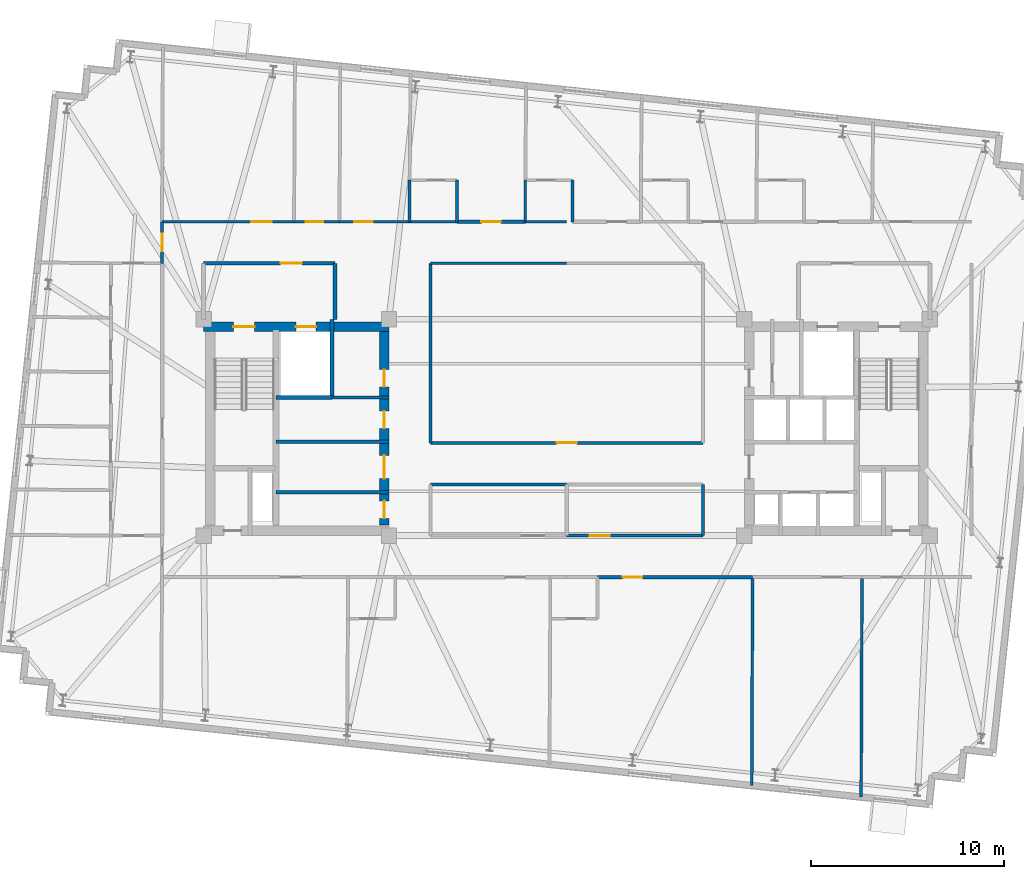
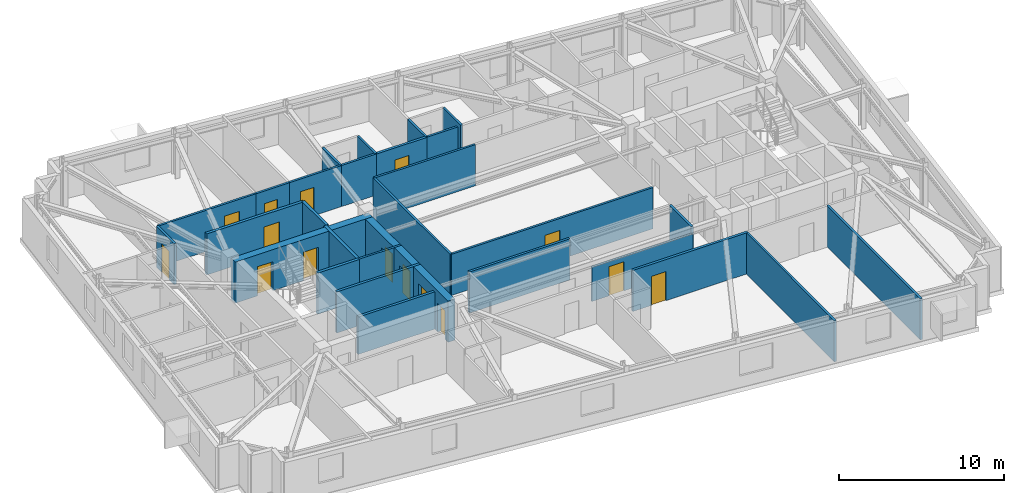
# One storey, part 7 of 12: 29 walls, 15 doors, 15 openings.
"""IFC4 building model written with IfcOpenShell, lengths in metres."""

from ifc_helpers import new_model, si_unit, direction, frame, frame_2d, origin, place, context, subcontext, project, spatial, rectangle, extrude, material, layer, layer_set, type_object, element, fill, save


model = new_model("IFC4")

# Units and contexts
model_context = context("Model", 3, precision=1e-05, world=origin(), true_north=direction((0.0, 1.0)))
body_context = subcontext(model_context, "Body", "Model", "MODEL_VIEW")
ifc_project = project(units=[si_unit("LENGTHUNIT", "METRE"), si_unit("AREAUNIT", "SQUARE_METRE"), si_unit("VOLUMEUNIT", "CUBIC_METRE"), si_unit("PLANEANGLEUNIT", "RADIAN"), si_unit("MASSUNIT", "GRAM", prefix="KILO")], contexts=[model_context])

# Site, building, storey
site_placement = place(None, origin())
site = spatial("IfcSite", under=ifc_project, at=site_placement, CompositionType="ELEMENT")
building_placement = place(site_placement, origin())
building = spatial("IfcBuilding", under=site, at=building_placement, Name="Qobustan Lattice House", CompositionType="ELEMENT")
storey_placement = place(building_placement, frame((0.0, 0.0, 183.0)))
storey = spatial("IfcBuildingStorey", under=building, at=storey_placement, Name="L51", CompositionType="ELEMENT", Elevation=183.0)

# Wall, openings, doors
ifc_material_1 = material(Name="Concrete C50/60", Category="concrete")
ifc_layer_1 = layer(ifc_material_1, 0.5)
ifc_layer_set_1 = layer_set([ifc_layer_1], Name="Concrete C50/60")
wall_type_1 = type_object("IfcWallType", Name="WAL-CORE-500", PredefinedType="SHEAR", material=ifc_layer_set_1)
wall_1_placement = place(storey_placement, frame((-18.800048828125, 5.2099609375, 0.0), z_axis=(0.0, 0.0, 1.0), x_axis=(1.0, 0.0, 0.0)))
wall_1 = element("IfcWall", 1, at=wall_1_placement, inside=storey, type_object=wall_type_1, Name="L51 split-core shear wall CW-N", PredefinedType="SHEAR", context=body_context, shape_type="SweptSolid", body=[
    extrude(rectangle(XDim=9.60009765625, YDim=0.5, at=frame_2d((4.800048828125, 0.0))), origin(), (0.0, 0.0, 1.0), 3.0400390625),
])
opening_1_placement = place(wall_1_placement, frame((1.550048828125, 0.0, 0.0)))
opening_1 = element("IfcOpeningElement", 2, at=opening_1_placement, cuts=wall_1, Name="Opening SD-01", PredefinedType="OPENING", context=body_context, shape_type="SweptSolid", body=[
    extrude(rectangle(XDim=1.10009765625, YDim=2.14990234375, at=frame_2d((0.550048828125, 1.074951171875))), frame((0.0, 0.260009765625, 0.0), z_axis=(0.0, -1.0, 0.0), x_axis=(1.0, 0.0, 0.0)), (0.0, 0.0, 1.0), 0.52001953125),
])
opening_2_placement = place(wall_1_placement, frame((4.77490234375, 0.0, 0.0)))
opening_2 = element("IfcOpeningElement", 3, at=opening_2_placement, cuts=wall_1, Name="Opening LD-01", PredefinedType="OPENING", context=body_context, shape_type="SweptSolid", body=[
    extrude(rectangle(XDim=1.050048828125, YDim=2.10009765625, at=frame_2d((0.52490234375, 1.050048828125))), frame((0.0, 0.260009765625, 0.0), z_axis=(0.0, -1.0, 0.0), x_axis=(1.0, 0.0, 0.0)), (0.0, 0.0, 1.0), 0.52001953125),
])
ifc_material_2 = material(Name="Persian walnut timber and steel frame door", Category="steel")
door_type_1 = type_object("IfcDoorType", Name="DOR-LIFT-LD-1050x2100", OperationType="NOTDEFINED", PredefinedType="DOOR", material=ifc_material_2)
door_1_placement = place(opening_2_placement, origin())
door_1 = element("IfcDoor", 4, at=door_1_placement, inside=storey, type_object=door_type_1, Name="L51 firefighting lift FF-W landing door", OperationType="DOUBLE_DOOR_SLIDING", OverallHeight=2.10009765625, OverallWidth=1.050048828125, PredefinedType="DOOR", context=body_context, shape_type="SweptSolid", body=[
    extrude(rectangle(XDim=1.050048828125, YDim=2.10009765625, at=frame_2d((0.52490234375, 1.050048828125))), frame((0.0, 0.02490234375, 0.0), z_axis=(0.0, -1.0, 0.0), x_axis=(1.0, 0.0, 0.0)), (0.0, 0.0, 1.0), 0.050048828125),
])
fill(opening_2, door_1)
ifc_material_3 = material(Name="Persian walnut timber and steel frame door", Category="steel")
door_type_2 = type_object("IfcDoorType", Name="DOR-STAIR-FD-1100x2150", OperationType="NOTDEFINED", PredefinedType="DOOR", material=ifc_material_3)
door_2_placement = place(opening_1_placement, origin())
door_2 = element("IfcDoor", 5, at=door_2_placement, inside=storey, type_object=door_type_2, Name="L51 exit stair ST-W1 fire door", OperationType="SINGLE_SWING_LEFT", OverallHeight=2.14990234375, OverallWidth=1.10009765625, PredefinedType="DOOR", context=body_context, shape_type="SweptSolid", body=[
    extrude(rectangle(XDim=1.10009765625, YDim=2.14990234375, at=frame_2d((0.550048828125, 1.074951171875))), frame((0.0, 0.02490234375, 0.0), z_axis=(0.0, -1.0, 0.0), x_axis=(1.0, 0.0, 0.0)), (0.0, 0.0, 1.0), 0.050048828125),
])
fill(opening_1, door_2)

wall_2_placement = place(storey_placement, frame((-9.449951171875, -5.050048828125, 0.0), z_axis=(0.0, 0.0, 1.0), x_axis=(0.0, 1.0, 0.0)))
wall_2 = element("IfcWall", 6, at=wall_2_placement, inside=storey, type_object=wall_type_1, Name="L51 split-core shear wall CW-E", PredefinedType="SHEAR", context=body_context, shape_type="SweptSolid", body=[
    extrude(rectangle(XDim=10.10009765625, YDim=0.5, at=frame_2d((5.050048828125, 0.0))), origin(), (0.0, 0.0, 1.0), 3.0400390625),
])
opening_3_placement = place(wall_2_placement, frame((7.14990234375, 0.0, 0.0)))
opening_3 = element("IfcOpeningElement", 7, at=opening_3_placement, cuts=wall_2, Name="Opening RD-01", PredefinedType="OPENING", context=body_context, shape_type="SweptSolid", body=[
    extrude(rectangle(XDim=0.89990234375, YDim=2.10009765625, at=frame_2d((0.449951171875, 1.050048828125))), frame((0.0, 0.260009765625, 0.0), z_axis=(0.0, -1.0, 0.0), x_axis=(1.0, 0.0, 0.0)), (0.0, 0.0, 1.0), 0.52001953125),
])
opening_4_placement = place(wall_2_placement, frame((2.39990234375, 0.0, 0.0)))
opening_4 = element("IfcOpeningElement", 8, at=opening_4_placement, cuts=wall_2, Name="Opening FD-01", PredefinedType="OPENING", context=body_context, shape_type="SweptSolid", body=[
    extrude(rectangle(XDim=1.199951171875, YDim=2.14990234375, at=frame_2d((0.60009765625, 1.074951171875))), frame((0.0, 0.260009765625, 0.0), z_axis=(0.0, -1.0, 0.0), x_axis=(1.0, 0.0, 0.0)), (0.0, 0.0, 1.0), 0.52001953125),
])
opening_5_placement = place(wall_2_placement, frame((0.35009765625, 0.0, 0.0)))
opening_5 = element("IfcOpeningElement", 9, at=opening_5_placement, cuts=wall_2, Name="Opening RD-01", PredefinedType="OPENING", context=body_context, shape_type="SweptSolid", body=[
    extrude(rectangle(XDim=0.89990234375, YDim=2.10009765625, at=frame_2d((0.449951171875, 1.050048828125))), frame((0.0, 0.260009765625, 0.0), z_axis=(0.0, -1.0, 0.0), x_axis=(1.0, 0.0, 0.0)), (0.0, 0.0, 1.0), 0.52001953125),
])
opening_6_placement = place(wall_2_placement, frame((5.0, 0.0, 0.0)))
opening_6 = element("IfcOpeningElement", 10, at=opening_6_placement, cuts=wall_2, Name="Opening RD-01", PredefinedType="OPENING", context=body_context, shape_type="SweptSolid", body=[
    extrude(rectangle(XDim=0.89990234375, YDim=2.10009765625, at=frame_2d((0.449951171875, 1.050048828125))), frame((0.0, 0.260009765625, 0.0), z_axis=(0.0, -1.0, 0.0), x_axis=(1.0, 0.0, 0.0)), (0.0, 0.0, 1.0), 0.52001953125),
])
ifc_material_4 = material(Name="Persian walnut timber and steel frame door", Category="steel")
door_type_3 = type_object("IfcDoorType", Name="DOR-LOBBY-FD-1200x2150", OperationType="NOTDEFINED", PredefinedType="DOOR", material=ifc_material_4)
door_3_placement = place(opening_4_placement, origin())
door_3 = element("IfcDoor", 11, at=door_3_placement, inside=storey, type_object=door_type_3, Name="L51 West core foyer fire door", OperationType="SINGLE_SWING_LEFT", OverallHeight=2.14990234375, OverallWidth=1.199951171875, PredefinedType="DOOR", context=body_context, shape_type="SweptSolid", body=[
    extrude(rectangle(XDim=1.199951171875, YDim=2.14990234375, at=frame_2d((0.60009765625, 1.074951171875))), frame((0.0, 0.02490234375, 0.0), z_axis=(0.0, -1.0, 0.0), x_axis=(1.0, 0.0, 0.0)), (0.0, 0.0, 1.0), 0.050048828125),
])
fill(opening_4, door_3)
ifc_material_5 = material(Name="Persian walnut timber and steel frame door", Category="steel")
door_type_4 = type_object("IfcDoorType", Name="DOR-RISER-FD-900x2100", OperationType="NOTDEFINED", PredefinedType="DOOR", material=ifc_material_5)
door_4_placement = place(opening_3_placement, origin())
door_4 = element("IfcDoor", 12, at=door_4_placement, inside=storey, type_object=door_type_4, Name="L51 Floor tea pantry fire door", OperationType="SINGLE_SWING_RIGHT", OverallHeight=2.10009765625, OverallWidth=0.89990234375, PredefinedType="DOOR", context=body_context, shape_type="SweptSolid", body=[
    extrude(rectangle(XDim=0.89990234375, YDim=2.10009765625, at=frame_2d((0.449951171875, 1.050048828125))), frame((0.0, 0.02490234375, 0.0), z_axis=(0.0, -1.0, 0.0), x_axis=(1.0, 0.0, 0.0)), (0.0, 0.0, 1.0), 0.050048828125),
])
fill(opening_3, door_4)
door_5_placement = place(opening_5_placement, origin())
door_5 = element("IfcDoor", 13, at=door_5_placement, inside=storey, type_object=door_type_4, Name="L51 Tutorial seminar salon fire door", OperationType="SINGLE_SWING_RIGHT", OverallHeight=2.10009765625, OverallWidth=0.89990234375, PredefinedType="DOOR", context=body_context, shape_type="SweptSolid", body=[
    extrude(rectangle(XDim=0.89990234375, YDim=2.10009765625, at=frame_2d((0.449951171875, 1.050048828125))), frame((0.0, 0.02490234375, 0.0), z_axis=(0.0, -1.0, 0.0), x_axis=(1.0, 0.0, 0.0)), (0.0, 0.0, 1.0), 0.050048828125),
])
fill(opening_5, door_5)
door_6_placement = place(opening_6_placement, origin())
door_6 = element("IfcDoor", 14, at=door_6_placement, inside=storey, type_object=door_type_4, Name="L51 Copy and tea hub fire door", OperationType="SINGLE_SWING_LEFT", OverallHeight=2.10009765625, OverallWidth=0.89990234375, PredefinedType="DOOR", context=body_context, shape_type="SweptSolid", body=[
    extrude(rectangle(XDim=0.89990234375, YDim=2.10009765625, at=frame_2d((0.449951171875, 1.050048828125))), frame((0.0, 0.02490234375, 0.0), z_axis=(0.0, -1.0, 0.0), x_axis=(1.0, 0.0, 0.0)), (0.0, 0.0, 1.0), 0.050048828125),
])
fill(opening_6, door_6)

# Walls
ifc_material_6 = material(Name="Gypsum fireboard acoustic partition", Category="gypsum")
ifc_layer_2 = layer(ifc_material_6, 0.179931640625)
ifc_layer_set_2 = layer_set([ifc_layer_2], Name="Gypsum fireboard acoustic partition")
wall_type_2 = type_object("IfcWallType", Name="WAL-FIRE-180", PredefinedType="PARTITIONING", material=ifc_layer_set_2)
wall_3_placement = place(storey_placement, frame((-15.050048828125, -3.35009765625, 0.0), z_axis=(0.0, 0.0, 1.0), x_axis=(1.0, 0.0, 0.0)))
element("IfcWall", 15, at=wall_3_placement, inside=storey, type_object=wall_type_2, Name="L51 interior partition 8", PredefinedType="PARTITIONING", context=body_context, shape_type="SweptSolid", body=[
    extrude(rectangle(XDim=5.85009765625, YDim=0.179931640625, at=frame_2d((2.925048828125, 0.0))), origin(), (0.0, 0.0, 1.0), 2.7548828125),
])
wall_4_placement = place(storey_placement, frame((-9.199951171875, -0.75, 0.0), z_axis=(0.0, 0.0, 1.0), x_axis=(-1.0, 0.0, 0.0)))
element("IfcWall", 16, at=wall_4_placement, inside=storey, type_object=wall_type_2, Name="L51 interior partition 9", PredefinedType="PARTITIONING", context=body_context, shape_type="SweptSolid", body=[
    extrude(rectangle(XDim=5.85009765625, YDim=0.179931640625, at=frame_2d((2.925048828125, 0.0))), origin(), (0.0, 0.0, 1.0), 3.0400390625),
])

# Wall, opening, door
wall_5_placement = place(storey_placement, frame((-5.678955078125, 10.64990234375, 0.0), z_axis=(0.0, 0.0, 1.0), x_axis=(1.0, 0.0, 0.0)))
wall_5 = element("IfcWall", 17, at=wall_5_placement, inside=storey, type_object=wall_type_2, Name="L51 interior partition 35", PredefinedType="PARTITIONING", context=body_context, shape_type="SweptSolid", body=[
    extrude(rectangle(XDim=3.535888671875, YDim=0.179931640625, at=frame_2d((1.76806640625, 0.0))), origin(), (0.0, 0.0, 1.0), 3.0400390625),
])
opening_7_placement = place(wall_5_placement, frame((1.26806640625, 0.0, 0.0)))
opening_7 = element("IfcOpeningElement", 18, at=opening_7_placement, cuts=wall_5, Name="Opening FD-02", PredefinedType="OPENING", context=body_context, shape_type="SweptSolid", body=[
    extrude(rectangle(XDim=1.0, YDim=2.14990234375, at=frame_2d((0.5, 1.074951171875))), frame((0.0, 0.099853515625, 0.0), z_axis=(0.0, -1.0, 0.0), x_axis=(1.0, 0.0, 0.0)), (0.0, 0.0, 1.0), 0.199951171875),
])
ifc_material_7 = material(Name="Persian walnut timber and steel frame door", Category="steel")
door_type_5 = type_object("IfcDoorType", Name="DOR-UNIT-FD-1000x2150", OperationType="NOTDEFINED", PredefinedType="DOOR", material=ifc_material_7)
door_7_placement = place(opening_7_placement, origin())
door_7 = element("IfcDoor", 19, at=door_7_placement, inside=storey, type_object=door_type_5, Name="L51 North-west floor corridor to Kitchenette and studio apartment L51-N3 door", OperationType="SINGLE_SWING_RIGHT", OverallHeight=2.14990234375, OverallWidth=1.0, PredefinedType="DOOR", context=body_context, shape_type="SweptSolid", body=[
    extrude(rectangle(XDim=1.0, YDim=2.14990234375, at=frame_2d((0.5, 1.074951171875))), frame((0.0, 0.02490234375, 0.0), z_axis=(0.0, -1.0, 0.0), x_axis=(1.0, 0.0, 0.0)), (0.0, 0.0, 1.0), 0.050048828125),
])
fill(opening_7, door_7)

wall_6_placement = place(storey_placement, frame((9.625, -7.75, 0.0), z_axis=(0.0, 0.0, 1.0), x_axis=(-1.0, 0.0, 0.0)))
wall_6 = element("IfcWall", 20, at=wall_6_placement, inside=storey, type_object=wall_type_2, Name="L51 interior partition 52", PredefinedType="PARTITIONING", context=body_context, shape_type="SweptSolid", body=[
    extrude(rectangle(XDim=8.02490234375, YDim=0.179931640625, at=frame_2d((4.012451171875, 0.0))), origin(), (0.0, 0.0, 1.0), 3.0400390625),
])
opening_8_placement = place(wall_6_placement, frame((5.7119140625, 0.0, 0.0)))
opening_8 = element("IfcOpeningElement", 21, at=opening_8_placement, cuts=wall_6, Name="Opening FD-02", PredefinedType="OPENING", context=body_context, shape_type="SweptSolid", body=[
    extrude(rectangle(XDim=1.0, YDim=2.14990234375, at=frame_2d((0.5, 1.074951171875))), frame((0.0, 0.099853515625, 0.0), z_axis=(0.0, -1.0, 0.0), x_axis=(1.0, 0.0, 0.0)), (0.0, 0.0, 1.0), 0.199951171875),
])
door_8_placement = place(opening_8_placement, origin())
door_8 = element("IfcDoor", 22, at=door_8_placement, inside=storey, type_object=door_type_5, Name="L51 South-east floor corridor to Kitchenette and studio apartment L51-S3 door", OperationType="SINGLE_SWING_LEFT", OverallHeight=2.14990234375, OverallWidth=1.0, PredefinedType="DOOR", context=body_context, shape_type="SweptSolid", body=[
    extrude(rectangle(XDim=1.0, YDim=2.14990234375, at=frame_2d((0.5, 1.074951171875))), frame((0.0, 0.02490234375, 0.0), z_axis=(0.0, -1.0, 0.0), x_axis=(1.0, 0.0, 0.0)), (0.0, 0.0, 1.0), 0.050048828125),
])
fill(opening_8, door_8)

# Wall
ifc_material_8 = material(Name="Acoustic twin-stud gypsum partition", Category="gypsum")
ifc_layer_3 = layer(ifc_material_8, 0.14990234375)
ifc_layer_set_3 = layer_set([ifc_layer_3], Name="Acoustic twin-stud gypsum partition")
wall_type_3 = type_object("IfcWallType", Name="WAL-PART-150", PredefinedType="PARTITIONING", material=ifc_layer_set_3)
wall_7_placement = place(storey_placement, frame((-12.14990234375, 1.550048828125, 0.0), z_axis=(0.0, 0.0, 1.0), x_axis=(1.0, 0.0, 0.0)))
element("IfcWall", 23, at=wall_7_placement, inside=storey, type_object=wall_type_3, Name="L51 interior partition 6", PredefinedType="PARTITIONING", context=body_context, shape_type="SweptSolid", body=[
    extrude(rectangle(XDim=2.949951171875, YDim=0.14990234375, at=frame_2d((1.47509765625, 0.0))), origin(), (0.0, 0.0, 1.0), 3.0400390625),
])

# Wall, opening, door
wall_8_placement = place(storey_placement, frame((-20.949951171875, 8.5, 0.0), z_axis=(0.0, 0.0, 1.0), x_axis=(0.0, 1.0, 0.0)))
wall_8 = element("IfcWall", 24, at=wall_8_placement, inside=storey, type_object=wall_type_3, Name="L51 interior partition 31", PredefinedType="PARTITIONING", context=body_context, shape_type="SweptSolid", body=[
    extrude(rectangle(XDim=2.14990234375, YDim=0.14990234375, at=frame_2d((1.074951171875, 0.0))), origin(), (0.0, 0.0, 1.0), 3.0400390625),
])
opening_9_placement = place(wall_8_placement, frame((0.625, 0.0, 0.0)))
opening_9 = element("IfcOpeningElement", 25, at=opening_9_placement, cuts=wall_8, Name="Opening WD-01", PredefinedType="OPENING", context=body_context, shape_type="SweptSolid", body=[
    extrude(rectangle(XDim=0.89990234375, YDim=2.10009765625, at=frame_2d((0.449951171875, 1.050048828125))), frame((0.0, 0.0849609375, 0.0), z_axis=(0.0, -1.0, 0.0), x_axis=(1.0, 0.0, 0.0)), (0.0, 0.0, 1.0), 0.169921875),
])
ifc_material_9 = material(Name="Persian walnut timber and steel frame door", Category="steel")
door_type_6 = type_object("IfcDoorType", Name="DOR-WET-900x2100", OperationType="NOTDEFINED", PredefinedType="DOOR", material=ifc_material_9)
door_9_placement = place(opening_9_placement, origin())
door_9 = element("IfcDoor", 26, at=door_9_placement, inside=storey, type_object=door_type_6, Name="L51 North-west floor corridor to Reading study room L51WN door", OperationType="SINGLE_SWING_RIGHT", OverallHeight=2.10009765625, OverallWidth=0.89990234375, PredefinedType="DOOR", context=body_context, shape_type="SweptSolid", body=[
    extrude(rectangle(XDim=0.89990234375, YDim=2.10009765625, at=frame_2d((0.449951171875, 1.050048828125))), frame((0.0, 0.02490234375, 0.0), z_axis=(0.0, -1.0, 0.0), x_axis=(1.0, 0.0, 0.0)), (0.0, 0.0, 1.0), 0.050048828125),
])
fill(opening_9, door_9)

wall_9_placement = place(storey_placement, frame((-20.949951171875, 10.64990234375, 0.0), z_axis=(0.0, 0.0, 1.0), x_axis=(1.0, 0.0, 0.0)))
wall_9 = element("IfcWall", 27, at=wall_9_placement, inside=storey, type_object=wall_type_3, Name="L51 interior partition 32", PredefinedType="PARTITIONING", context=body_context, shape_type="SweptSolid", body=[
    extrude(rectangle(XDim=6.8359375, YDim=0.14990234375, at=frame_2d((3.41796875, 0.0))), origin(), (0.0, 0.0, 1.0), 3.0400390625),
])
opening_10_placement = place(wall_9_placement, frame((4.627685546875, 0.0, 0.0)))
opening_10 = element("IfcOpeningElement", 28, at=opening_10_placement, cuts=wall_9, Name="Opening ID-02", PredefinedType="OPENING", context=body_context, shape_type="SweptSolid", body=[
    extrude(rectangle(XDim=1.050048828125, YDim=2.14990234375, at=frame_2d((0.52490234375, 1.074951171875))), frame((0.0, 0.0849609375, 0.0), z_axis=(0.0, -1.0, 0.0), x_axis=(1.0, 0.0, 0.0)), (0.0, 0.0, 1.0), 0.169921875),
])
ifc_material_10 = material(Name="Persian walnut timber and steel frame door", Category="steel")
door_type_7 = type_object("IfcDoorType", Name="DOR-STUDY-1050x2150", OperationType="NOTDEFINED", PredefinedType="DOOR", material=ifc_material_10)
door_10_placement = place(opening_10_placement, origin())
door_10 = element("IfcDoor", 29, at=door_10_placement, inside=storey, type_object=door_type_7, Name="L51 North-west floor corridor to Focus study room N1 door", OperationType="SINGLE_SWING_LEFT", OverallHeight=2.14990234375, OverallWidth=1.050048828125, PredefinedType="DOOR", context=body_context, shape_type="SweptSolid", body=[
    extrude(rectangle(XDim=1.050048828125, YDim=2.14990234375, at=frame_2d((0.52490234375, 1.074951171875))), frame((0.0, 0.02490234375, 0.0), z_axis=(0.0, -1.0, 0.0), x_axis=(1.0, 0.0, 0.0)), (0.0, 0.0, 1.0), 0.050048828125),
])
fill(opening_10, door_10)

wall_10_placement = place(storey_placement, frame((-11.763916015625, 10.64990234375, 0.0), z_axis=(0.0, 0.0, 1.0), x_axis=(1.0, 0.0, 0.0)))
wall_10 = element("IfcWall", 30, at=wall_10_placement, inside=storey, type_object=wall_type_3, Name="L51 interior partition 34", PredefinedType="PARTITIONING", context=body_context, shape_type="SweptSolid", body=[
    extrude(rectangle(XDim=3.635009765625, YDim=0.14990234375, at=frame_2d((1.8173828125, 0.0))), origin(), (0.0, 0.0, 1.0), 3.0400390625),
])
opening_11_placement = place(wall_10_placement, frame((0.7705078125, 0.0, 0.0)))
opening_11 = element("IfcOpeningElement", 31, at=opening_11_placement, cuts=wall_10, Name="Opening ID-01", PredefinedType="OPENING", context=body_context, shape_type="SweptSolid", body=[
    extrude(rectangle(XDim=0.949951171875, YDim=2.10009765625, at=frame_2d((0.47509765625, 1.050048828125))), frame((0.0, 0.0849609375, 0.0), z_axis=(0.0, -1.0, 0.0), x_axis=(1.0, 0.0, 0.0)), (0.0, 0.0, 1.0), 0.169921875),
])
ifc_material_11 = material(Name="Persian walnut timber and steel frame door", Category="steel")
door_type_8 = type_object("IfcDoorType", Name="DOR-ROOM-950x2100", OperationType="NOTDEFINED", PredefinedType="DOOR", material=ifc_material_11)
door_11_placement = place(opening_11_placement, origin())
door_11 = element("IfcDoor", 32, at=door_11_placement, inside=storey, type_object=door_type_8, Name="L51 North-west floor corridor to Laundry utility room door", OperationType="SINGLE_SWING_LEFT", OverallHeight=2.10009765625, OverallWidth=0.949951171875, PredefinedType="DOOR", context=body_context, shape_type="SweptSolid", body=[
    extrude(rectangle(XDim=0.949951171875, YDim=2.10009765625, at=frame_2d((0.47509765625, 1.050048828125))), frame((0.0, 0.02490234375, 0.0), z_axis=(0.0, -1.0, 0.0), x_axis=(1.0, 0.0, 0.0)), (0.0, 0.0, 1.0), 0.050048828125),
])
fill(opening_11, door_11)

# Wall
wall_11_placement = place(storey_placement, frame((0.0, 8.5, 0.0), z_axis=(0.0, 0.0, 1.0), x_axis=(-1.0, 0.0, 0.0)))
element("IfcWall", 33, at=wall_11_placement, inside=storey, type_object=wall_type_3, Name="L51 interior partition 38", PredefinedType="PARTITIONING", context=body_context, shape_type="SweptSolid", body=[
    extrude(rectangle(XDim=7.050048828125, YDim=0.14990234375, at=frame_2d((3.52490234375, 0.0))), origin(), (0.0, 0.0, 1.0), 3.0400390625),
])

# Wall, opening, door
wall_12_placement = place(storey_placement, frame((0.0, -5.60009765625, 0.0), z_axis=(0.0, 0.0, 1.0), x_axis=(1.0, 0.0, 0.0)))
wall_12 = element("IfcWall", 34, at=wall_12_placement, inside=storey, type_object=wall_type_3, Name="L51 interior partition 56", PredefinedType="PARTITIONING", context=body_context, shape_type="SweptSolid", body=[
    extrude(rectangle(XDim=7.050048828125, YDim=0.14990234375, at=frame_2d((3.52490234375, 0.0))), origin(), (0.0, 0.0, 1.0), 2.52490234375),
])
opening_12_placement = place(wall_12_placement, frame((1.18505859375, 0.0, 0.0)))
opening_12 = element("IfcOpeningElement", 35, at=opening_12_placement, cuts=wall_12, Name="Opening ID-02", PredefinedType="OPENING", context=body_context, shape_type="SweptSolid", body=[
    extrude(rectangle(XDim=1.050048828125, YDim=2.14990234375, at=frame_2d((0.52490234375, 1.074951171875))), frame((0.0, 0.0849609375, 0.0), z_axis=(0.0, -1.0, 0.0), x_axis=(1.0, 0.0, 0.0)), (0.0, 0.0, 1.0), 0.169921875),
])
door_12_placement = place(opening_12_placement, origin())
door_12 = element("IfcDoor", 36, at=door_12_placement, inside=storey, type_object=door_type_7, Name="L51 South-east floor corridor to Silent study room door", OperationType="SINGLE_SWING_RIGHT", OverallHeight=2.14990234375, OverallWidth=1.050048828125, PredefinedType="DOOR", context=body_context, shape_type="SweptSolid", body=[
    extrude(rectangle(XDim=1.050048828125, YDim=2.14990234375, at=frame_2d((0.52490234375, 1.074951171875))), frame((0.0, 0.02490234375, 0.0), z_axis=(0.0, -1.0, 0.0), x_axis=(1.0, 0.0, 0.0)), (0.0, 0.0, 1.0), 0.050048828125),
])
fill(opening_12, door_12)

wall_13_placement = place(storey_placement, frame((-7.050048828125, -0.800048828125, 0.0), z_axis=(0.0, 0.0, 1.0), x_axis=(1.0, 0.0, 0.0)))
wall_13 = element("IfcWall", 37, at=wall_13_placement, inside=storey, type_object=wall_type_3, Name="L51 interior partition 59", PredefinedType="PARTITIONING", context=body_context, shape_type="SweptSolid", body=[
    extrude(rectangle(XDim=14.10009765625, YDim=0.14990234375, at=frame_2d((7.050048828125, 0.0))), origin(), (0.0, 0.0, 1.0), 3.0400390625),
])
opening_13_placement = place(wall_13_placement, frame((6.52490234375, 0.0, 0.0)))
opening_13 = element("IfcOpeningElement", 38, at=opening_13_placement, cuts=wall_13, Name="Opening ID-02", PredefinedType="OPENING", context=body_context, shape_type="SweptSolid", body=[
    extrude(rectangle(XDim=1.050048828125, YDim=2.14990234375, at=frame_2d((0.52490234375, 1.074951171875))), frame((0.0, 0.0849609375, 0.0), z_axis=(0.0, -1.0, 0.0), x_axis=(1.0, 0.0, 0.0)), (0.0, 0.0, 1.0), 0.169921875),
])
door_13_placement = place(opening_13_placement, origin())
door_13 = element("IfcDoor", 39, at=door_13_placement, inside=storey, type_object=door_type_7, Name="L51 Central spine corridor to Academic seminar commons door", OperationType="SINGLE_SWING_LEFT", OverallHeight=2.14990234375, OverallWidth=1.050048828125, PredefinedType="DOOR", context=body_context, shape_type="SweptSolid", body=[
    extrude(rectangle(XDim=1.050048828125, YDim=2.14990234375, at=frame_2d((0.52490234375, 1.074951171875))), frame((0.0, 0.02490234375, 0.0), z_axis=(0.0, -1.0, 0.0), x_axis=(1.0, 0.0, 0.0)), (0.0, 0.0, 1.0), 0.050048828125),
])
fill(opening_13, door_13)

# Walls
wall_14_placement = place(storey_placement, frame((-7.050048828125, 8.5, 0.0), z_axis=(0.0, 0.0, 1.0), x_axis=(0.0, -1.0, 0.0)))
element("IfcWall", 40, at=wall_14_placement, inside=storey, type_object=wall_type_3, Name="L51 interior partition 62", PredefinedType="PARTITIONING", context=body_context, shape_type="SweptSolid", body=[
    extrude(rectangle(XDim=9.300048828125, YDim=0.14990234375, at=frame_2d((4.64990234375, 0.0))), origin(), (0.0, 0.0, 1.0), 3.0400390625),
])
wall_15_placement = place(storey_placement, frame((7.050048828125, -5.60009765625, 0.0), z_axis=(0.0, 0.0, 1.0), x_axis=(0.0, 1.0, 0.0)))
element("IfcWall", 41, at=wall_15_placement, inside=storey, type_object=wall_type_3, Name="L51 interior partition 65", PredefinedType="PARTITIONING", context=body_context, shape_type="SweptSolid", body=[
    extrude(rectangle(XDim=2.650146484375, YDim=0.14990234375, at=frame_2d((1.3251953125, 0.0))), origin(), (0.0, 0.0, 1.0), 3.0400390625),
])
wall_16_placement = place(storey_placement, frame((9.625, -7.75, 0.0), z_axis=(0.0, 0.0, 1.0), x_axis=(-0.004074945792, -0.999991697374, 0.0)))
element("IfcWall", 42, at=wall_16_placement, inside=storey, type_object=wall_type_3, Name="L51 interior partition 108", PredefinedType="PARTITIONING", context=body_context, shape_type="SweptSolid", body=[
    extrude(rectangle(XDim=10.7841796875, YDim=0.14990234375, at=frame_2d((5.39208984375, 0.0))), origin(), (0.0, 0.0, 1.0), 3.0400390625),
])
wall_17_placement = place(storey_placement, frame((15.28759765625, -7.75, 0.0), z_axis=(0.0, 0.0, 1.0), x_axis=(-0.003861886282, -0.999992542889, 0.0)))
element("IfcWall", 43, at=wall_17_placement, inside=storey, type_object=wall_type_3, Name="L51 interior partition 109", PredefinedType="PARTITIONING", context=body_context, shape_type="SweptSolid", body=[
    extrude(rectangle(XDim=11.379150390625, YDim=0.14990234375, at=frame_2d((5.689453125, 0.0))), origin(), (0.0, 0.0, 1.0), 3.0400390625),
])
ifc_material_12 = material(Name="High-mass acoustic twin-stud partition", Category="gypsum")
ifc_layer_4 = layer(ifc_material_12, 0.1650390625)
ifc_layer_set_4 = layer_set([ifc_layer_4], Name="High-mass acoustic twin-stud partition")
wall_type_4 = type_object("IfcWallType", Name="WAL-PART-165", PredefinedType="PARTITIONING", material=ifc_layer_set_4)
wall_18_placement = place(storey_placement, frame((0.0, -2.949951171875, 0.0), z_axis=(0.0, 0.0, 1.0), x_axis=(-1.0, 0.0, 0.0)))
element("IfcWall", 44, at=wall_18_placement, inside=storey, type_object=wall_type_4, Name="L51 interior partition 60", PredefinedType="PARTITIONING", context=body_context, shape_type="SweptSolid", body=[
    extrude(rectangle(XDim=7.050048828125, YDim=0.1650390625, at=frame_2d((3.52490234375, 0.0))), origin(), (0.0, 0.0, 1.0), 3.0400390625),
])

# Wall, opening, door
ifc_material_13 = material(Name="Two-hour gypsum fireboard acoustic partition", Category="gypsum")
ifc_layer_5 = layer(ifc_material_13, 0.199951171875)
ifc_layer_set_5 = layer_set([ifc_layer_5], Name="Two-hour gypsum fireboard acoustic partition")
wall_type_5 = type_object("IfcWallType", Name="WAL-PROT-200", PredefinedType="PARTITIONING", material=ifc_layer_set_5)
wall_19_placement = place(storey_placement, frame((-12.0, 8.5, 0.0), z_axis=(0.0, 0.0, 1.0), x_axis=(-1.0, 0.0, 0.0)))
wall_19 = element("IfcWall", 45, at=wall_19_placement, inside=storey, type_object=wall_type_5, Name="L51 interior partition 3", PredefinedType="PARTITIONING", context=body_context, shape_type="SweptSolid", body=[
    extrude(rectangle(XDim=6.800048828125, YDim=0.199951171875, at=frame_2d((3.39990234375, 0.0))), origin(), (0.0, 0.0, 1.0), 3.0400390625),
])
opening_14_placement = place(wall_19_placement, frame((1.715087890625, 0.0, 0.0)))
opening_14 = element("IfcOpeningElement", 46, at=opening_14_placement, cuts=wall_19, Name="Opening SD-01", PredefinedType="OPENING", context=body_context, shape_type="SweptSolid", body=[
    extrude(rectangle(XDim=1.10009765625, YDim=2.14990234375, at=frame_2d((0.550048828125, 1.074951171875))), frame((0.0, 0.10986328125, 0.0), z_axis=(0.0, -1.0, 0.0), x_axis=(1.0, 0.0, 0.0)), (0.0, 0.0, 1.0), 0.219970703125),
])
door_14_placement = place(opening_14_placement, origin())
door_14 = element("IfcDoor", 47, at=door_14_placement, inside=storey, type_object=door_type_2, Name="L51 West firefighting lift lobby to North-west floor corridor door", OperationType="SINGLE_SWING_LEFT", OverallHeight=2.14990234375, OverallWidth=1.10009765625, PredefinedType="DOOR", context=body_context, shape_type="SweptSolid", body=[
    extrude(rectangle(XDim=1.10009765625, YDim=2.14990234375, at=frame_2d((0.550048828125, 1.074951171875))), frame((0.0, 0.02490234375, 0.0), z_axis=(0.0, -1.0, 0.0), x_axis=(1.0, 0.0, 0.0)), (0.0, 0.0, 1.0), 0.050048828125),
])
fill(opening_14, door_14)

# Walls
wall_20_placement = place(storey_placement, frame((-12.0, 5.60009765625, 0.0), z_axis=(0.0, 0.0, 1.0), x_axis=(0.0, 1.0, 0.0)))
element("IfcWall", 48, at=wall_20_placement, inside=storey, type_object=wall_type_5, Name="L51 interior partition 5", PredefinedType="PARTITIONING", context=body_context, shape_type="SweptSolid", body=[
    extrude(rectangle(XDim=2.89990234375, YDim=0.199951171875, at=frame_2d((1.449951171875, 0.0))), origin(), (0.0, 0.0, 1.0), 3.0400390625),
])
ifc_material_14 = material(Name="Concrete C40/50", Category="concrete")
ifc_layer_6 = layer(ifc_material_14, 0.199951171875)
ifc_layer_set_6 = layer_set([ifc_layer_6], Name="Concrete C40/50")
wall_type_6 = type_object("IfcWallType", Name="WAL-SHAFT-200", PredefinedType="PARTITIONING", material=ifc_layer_set_6)
wall_21_placement = place(storey_placement, frame((-12.14990234375, 1.550048828125, 0.0), z_axis=(0.0, 0.0, 1.0), x_axis=(0.0, 1.0, 0.0)))
element("IfcWall", 49, at=wall_21_placement, inside=storey, type_object=wall_type_6, Name="L51 interior partition 2", PredefinedType="PARTITIONING", context=body_context, shape_type="SweptSolid", body=[
    extrude(rectangle(XDim=4.050048828125, YDim=0.199951171875, at=frame_2d((2.02490234375, 0.0))), origin(), (0.0, 0.0, 1.0), 3.0400390625),
])
wall_22_placement = place(storey_placement, frame((-15.050048828125, 1.550048828125, 0.0), z_axis=(0.0, 0.0, 1.0), x_axis=(1.0, 0.0, 0.0)))
element("IfcWall", 50, at=wall_22_placement, inside=storey, type_object=wall_type_6, Name="L51 interior partition 111", PredefinedType="PARTITIONING", context=body_context, shape_type="SweptSolid", body=[
    extrude(rectangle(XDim=2.900146484375, YDim=0.199951171875, at=frame_2d((1.4501953125, 0.0))), origin(), (0.0, 0.0, 1.0), 3.0400390625),
])

# Wall, opening, door
ifc_material_15 = material(Name="Moisture-resistant acoustic plumbing wall", Category="gypsum")
ifc_layer_7 = layer(ifc_material_15, 0.14990234375)
ifc_layer_set_7 = layer_set([ifc_layer_7], Name="Moisture-resistant acoustic plumbing wall")
wall_type_7 = type_object("IfcWallType", Name="WAL-WET-150", PredefinedType="PLUMBINGWALL", material=ifc_layer_set_7)
wall_23_placement = place(storey_placement, frame((-14.114013671875, 10.64990234375, 0.0), z_axis=(0.0, 0.0, 1.0), x_axis=(1.0, 0.0, 0.0)))
wall_23 = element("IfcWall", 51, at=wall_23_placement, inside=storey, type_object=wall_type_7, Name="L51 interior partition 33", PredefinedType="PLUMBINGWALL", context=body_context, shape_type="SweptSolid", body=[
    extrude(rectangle(XDim=2.35009765625, YDim=0.14990234375, at=frame_2d((1.175048828125, 0.0))), origin(), (0.0, 0.0, 1.0), 3.0400390625),
])
opening_15_placement = place(wall_23_placement, frame((0.6162109375, 0.0, 0.0)))
opening_15 = element("IfcOpeningElement", 52, at=opening_15_placement, cuts=wall_23, Name="Opening WD-01", PredefinedType="OPENING", context=body_context, shape_type="SweptSolid", body=[
    extrude(rectangle(XDim=0.89990234375, YDim=2.10009765625, at=frame_2d((0.449951171875, 1.050048828125))), frame((0.0, 0.0849609375, 0.0), z_axis=(0.0, -1.0, 0.0), x_axis=(1.0, 0.0, 0.0)), (0.0, 0.0, 1.0), 0.169921875),
])
door_15_placement = place(opening_15_placement, origin())
door_15 = element("IfcDoor", 53, at=door_15_placement, inside=storey, type_object=door_type_6, Name="L51 North-west floor corridor to Accessible WC door", OperationType="SINGLE_SWING_RIGHT", OverallHeight=2.10009765625, OverallWidth=0.89990234375, PredefinedType="DOOR", context=body_context, shape_type="SweptSolid", body=[
    extrude(rectangle(XDim=0.89990234375, YDim=2.10009765625, at=frame_2d((0.449951171875, 1.050048828125))), frame((0.0, 0.02490234375, 0.0), z_axis=(0.0, -1.0, 0.0), x_axis=(1.0, 0.0, 0.0)), (0.0, 0.0, 1.0), 0.050048828125),
])
fill(opening_15, door_15)

# Walls
wall_24_placement = place(storey_placement, frame((-8.12890625, 10.64990234375, 0.0), z_axis=(0.0, 0.0, 1.0), x_axis=(1.0, 0.0, 0.0)))
element("IfcWall", 54, at=wall_24_placement, inside=storey, type_object=wall_type_7, Name="L51 interior partition 36", PredefinedType="PLUMBINGWALL", context=body_context, shape_type="SweptSolid", body=[
    extrude(rectangle(XDim=2.449951171875, YDim=0.14990234375, at=frame_2d((1.22509765625, 0.0))), origin(), (0.0, 0.0, 1.0), 3.0400390625),
])
wall_25_placement = place(storey_placement, frame((-2.14306640625, 10.64990234375, 0.0), z_axis=(0.0, 0.0, 1.0), x_axis=(1.0, 0.0, 0.0)))
element("IfcWall", 55, at=wall_25_placement, inside=storey, type_object=wall_type_7, Name="L51 interior partition 37", PredefinedType="PLUMBINGWALL", context=body_context, shape_type="SweptSolid", body=[
    extrude(rectangle(XDim=2.14306640625, YDim=0.14990234375, at=frame_2d((1.071533203125, 0.0))), origin(), (0.0, 0.0, 1.0), 3.0400390625),
])
for number, where, z_axis, x_axis, name in (
    (56, (-8.12890625, 12.800048828125, 0.0), (0.0, 0.0, 1.0), (0.0, -1.0, 0.0), "L51 interior partition 84"),
    (57, (-5.678955078125, 10.64990234375, 0.0), (0.0, 0.0, 1.0), (0.0, 1.0, 0.0), "L51 interior partition 86"),
    (58, (-2.14306640625, 12.800048828125, 0.0), (0.0, 0.0, 1.0), (0.0, -1.0, 0.0), "L51 interior partition 88"),
    (59, (0.306884765625, 10.64990234375, 0.0), (0.0, 0.0, 1.0), (0.0, 1.0, 0.0), "L51 interior partition 90"),
):
    element("IfcWall", number, at=place(storey_placement, frame(where, z_axis=z_axis, x_axis=x_axis)), inside=storey, type_object=wall_type_7, Name=name, PredefinedType="PLUMBINGWALL", context=body_context, shape_type="SweptSolid", body=[
        extrude(rectangle(XDim=2.150146484375, YDim=0.14990234375, at=frame_2d((1.0751953125, 0.0))), origin(), (0.0, 0.0, 1.0), 3.0400390625),
    ])

save(model, "model.ifc")
